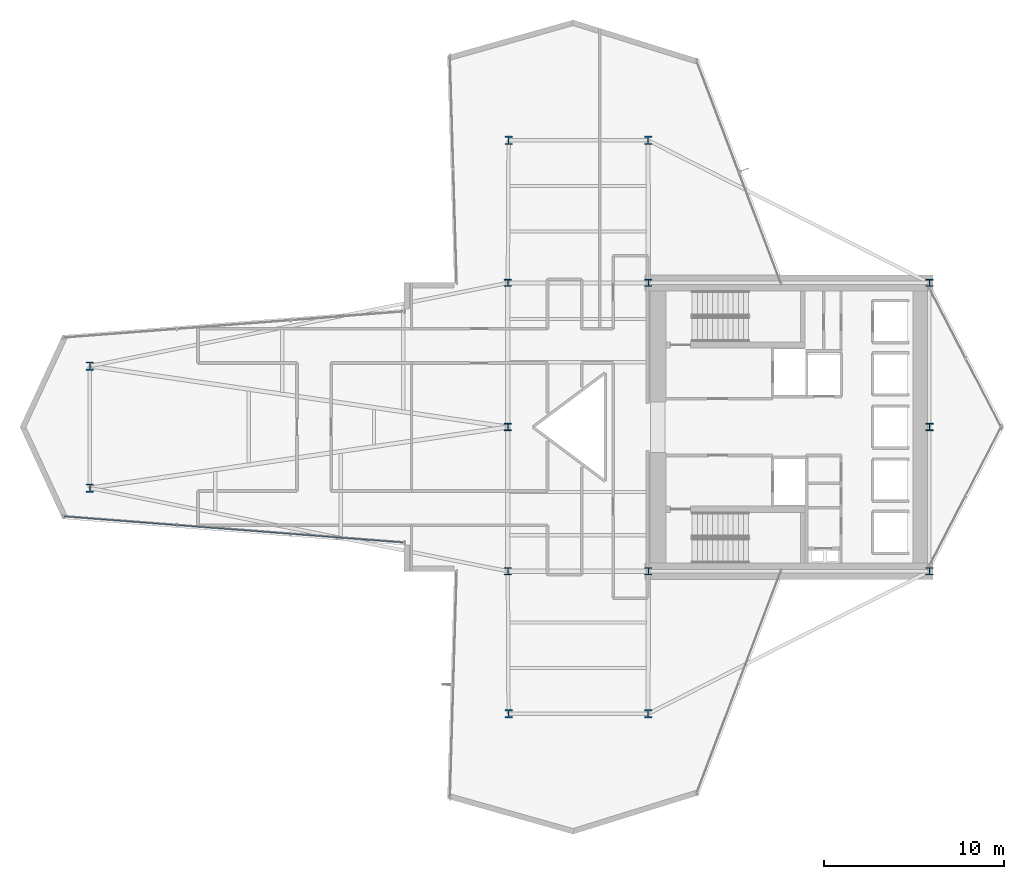
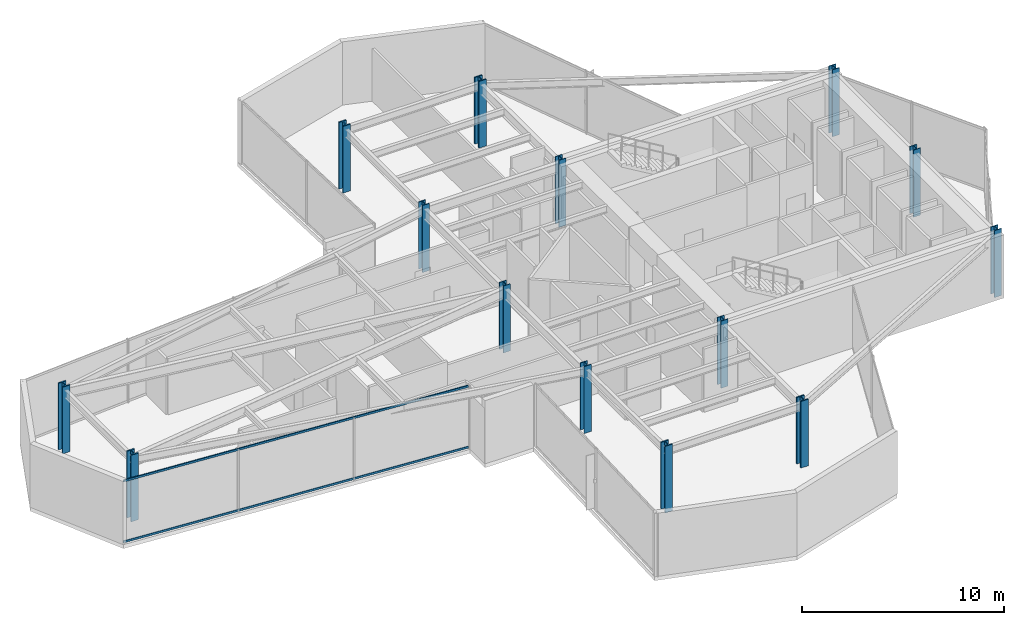
# One storey, part 1 of 29: 14 columns, 2 members, 1 element without a shape of its own.
"""IFC4 building model written with IfcOpenShell, lengths in metres."""

from ifc_helpers import new_model, si_unit, direction, frame, origin, origin_2d, place, context, subcontext, project, spatial, hollow_rectangle, i_section, extrude, material, layer, layer_set, material_profile, profile_set, type_object, element, aggregate, save


model = new_model("IFC4")

# Units and contexts
model_context = context("Model", 3, precision=1e-05, world=origin(), true_north=direction((0.0, 1.0)))
body_context = subcontext(model_context, "Body", "Model", "MODEL_VIEW")
ifc_project = project(units=[si_unit("LENGTHUNIT", "METRE"), si_unit("AREAUNIT", "SQUARE_METRE"), si_unit("VOLUMEUNIT", "CUBIC_METRE"), si_unit("PLANEANGLEUNIT", "RADIAN"), si_unit("MASSUNIT", "GRAM", prefix="KILO")], contexts=[model_context])

# Site, building, storey
site_placement = place(None, origin())
site = spatial("IfcSite", under=ifc_project, at=site_placement, CompositionType="ELEMENT")
building_placement = place(site_placement, origin())
building = spatial("IfcBuilding", under=site, at=building_placement, Name="Veymaron Broadcast Tower", CompositionType="ELEMENT")
storey_placement = place(building_placement, frame((0.0, 0.0, 41.85009765625)))
storey = spatial("IfcBuildingStorey", under=building, at=storey_placement, Name="L08", CompositionType="ELEMENT", Elevation=41.85009765625)

# Columns
ifc_material_1 = material(Name="Structural steel ASTM A913 Gr 65", Category="steel")
ifc_material_profile_1 = material_profile(ifc_material_1, i_section(OverallWidth=0.40087890625, OverallDepth=0.39892578125, WebThickness=0.02490234375, FlangeThickness=0.03955078125, at=origin_2d()), Name="W360X314")
ifc_profile_set_1 = profile_set([ifc_material_profile_1], Name="Structural steel ASTM A913 Gr 65")
column_type_1 = type_object("IfcColumnType", Name="COL-HC1", PredefinedType="COLUMN", material=ifc_profile_set_1)
for number, where, z_axis, x_axis, name in (
    (1, (31.199951171875, 16.0, 0.0), (0.0, 0.0, 1.0), (1.0, 0.0, 0.0), "L08 structural hub and core column"),
    (2, (31.199951171875, 24.0, 0.0), (0.0, 0.0, 1.0), (1.0, 0.0, 0.0), "L08 structural hub and core column"),
    (3, (31.199951171875, 32.0, 0.0), (0.0, 0.0, 1.0), (1.0, 0.0, 0.0), "L08 structural hub and core column"),
    (4, (39.0, 16.0, 0.0), (0.0, 0.0, 1.0), (1.0, 0.0, 0.0), "L08 structural hub and core column"),
    (5, (39.0, 32.0, 0.0), (0.0, 0.0, 1.0), (1.0, 0.0, 0.0), "L08 structural hub and core column"),
    (6, (54.60009765625, 16.0, 0.0), (0.0, 0.0, 1.0), (1.0, 0.0, 0.0), "L08 structural hub and core column"),
    (7, (54.60009765625, 24.0, 0.0), (0.0, 0.0, 1.0), (1.0, 0.0, 0.0), "L08 structural hub and core column"),
    (8, (54.60009765625, 32.0, 0.0), (0.0, 0.0, 1.0), (1.0, 0.0, 0.0), "L08 structural hub and core column"),
):
    element("IfcColumn", number, at=place(storey_placement, frame(where, z_axis=z_axis, x_axis=x_axis)), inside=storey, type_object=column_type_1, Name=name, PredefinedType="COLUMN", context=body_context, shape_type="SweptSolid", body=[
        extrude(i_section(OverallWidth=0.40087890625, OverallDepth=0.39892578125, WebThickness=0.02490234375, FlangeThickness=0.03955078125, at=origin_2d()), origin(), (0.0, 0.0, 1.0), 4.0439453125),
    ])
ifc_material_profile_2 = material_profile(ifc_material_1, i_section(OverallWidth=0.424072265625, OverallDepth=0.47412109375, WebThickness=0.047607421875, FlangeThickness=0.076904296875, at=origin_2d()), Name="W360X634")
ifc_profile_set_2 = profile_set([ifc_material_profile_2], Name="Structural steel ASTM A913 Gr 65")
column_type_2 = type_object("IfcColumnType", Name="COL-MC1", PredefinedType="COLUMN", material=ifc_profile_set_2)
for number, where, z_axis, x_axis, name in (
    (9, (8.007080078125, 20.614990234375, 0.015869140625), (0.0, 0.0, 1.0), (1.0, 0.0, 0.0), "L08 Tapered Wing Mega Column"),
    (10, (8.007080078125, 27.385009765625, 0.015869140625), (0.0, 0.0, 1.0), (1.0, 0.0, 0.0), "L08 Tapered Wing Mega Column"),
    (11, (31.241943359375, 39.909912109375, 0.015869140625), (0.0, 0.0, 1.0), (1.0, 0.0, 0.0), "L08 Tapered Wing Mega Column"),
    (12, (38.985107421875, 39.909912109375, 0.015869140625), (0.0, 0.0, 1.0), (1.0, 0.0, 0.0), "L08 Tapered Wing Mega Column"),
    (13, (31.241943359375, 8.090087890625, 0.015869140625), (0.0, 0.0, 1.0), (1.0, 0.0, 0.0), "L08 Tapered Wing Mega Column"),
    (14, (38.985107421875, 8.090087890625, 0.015869140625), (0.0, 0.0, 1.0), (1.0, 0.0, 0.0), "L08 Tapered Wing Mega Column"),
):
    element("IfcColumn", number, at=place(storey_placement, frame(where, z_axis=z_axis, x_axis=x_axis)), inside=storey, type_object=column_type_2, Name=name, PredefinedType="COLUMN", context=body_context, shape_type="SweptSolid", body=[
        extrude(i_section(OverallWidth=0.424072265625, OverallDepth=0.47412109375, WebThickness=0.047607421875, FlangeThickness=0.076904296875, at=origin_2d()), origin(), (0.0, 0.0, 1.0), 4.01806640625),
    ])

# Curtain wall, members
ifc_material_2 = material(Name="Anodised aluminium AA 6063-T6 and laminated low-E dark glass", Category="aluminium")
ifc_layer = layer(ifc_material_2, 0.179931640625)
ifc_layer_set = layer_set([ifc_layer], Name="Anodised aluminium AA 6063-T6 and laminated low-E dark glass")
curtain_wall_type = type_object("IfcCurtainWallType", Name="CW-SYS-02", PredefinedType="NOTDEFINED", material=ifc_layer_set)
curtain_wall_placement = place(storey_placement, origin())
curtain_wall = element("IfcCurtainWall", 15, at=curtain_wall_placement, inside=storey, type_object=curtain_wall_type, Name="L08 dark-glass curtain wall CW-L08-E14-1", PredefinedType="NOTDEFINED")
ifc_material_3 = material(Name="Anodised aluminium AA 6063-T6", Category="aluminium")
ifc_material_profile_3 = material_profile(ifc_material_3, hollow_rectangle(XDim=0.06005859375, YDim=0.1201171875, WallThickness=0.00390625, at=origin_2d()), Name="AL120X60X4")
ifc_profile_set_3 = profile_set([ifc_material_profile_3], Name="Anodised aluminium AA 6063-T6")
member_type = type_object("IfcMemberType", Name="CW-TRN-02", PredefinedType="USERDEFINED", material=ifc_profile_set_3)
member_1_placement = place(storey_placement, frame((6.560546875, 19.039794921875, 0.06982421875), z_axis=(0.997061015336, -0.076611563729, 0.0), x_axis=(0.076611563729, 0.997061015336, 0.0)))
member_1 = element("IfcMember", 16, at=member_1_placement, type_object=member_type, Name="CW-L08-E14-1 transom B", ObjectType="TRANSOM", PredefinedType="USERDEFINED", context=body_context, shape_type="SweptSolid", body=[
    extrude(hollow_rectangle(XDim=0.06005859375, YDim=0.1201171875, WallThickness=0.00390625, at=origin_2d()), origin(), (0.0, 0.0, 1.0), 18.90380859375),
])
member_2_placement = place(storey_placement, frame((6.560546875, 19.039794921875, 3.739990234375), z_axis=(0.997061015336, -0.076611563729, 0.0), x_axis=(0.076611563729, 0.997061015336, 0.0)))
member_2 = element("IfcMember", 17, at=member_2_placement, type_object=member_type, Name="CW-L08-E14-1 transom T", ObjectType="TRANSOM", PredefinedType="USERDEFINED", context=body_context, shape_type="SweptSolid", body=[
    extrude(hollow_rectangle(XDim=0.06005859375, YDim=0.1201171875, WallThickness=0.00390625, at=origin_2d()), origin(), (0.0, 0.0, 1.0), 18.90380859375),
])
aggregate(curtain_wall, [member_1, member_2])

save(model, "model.ifc")
